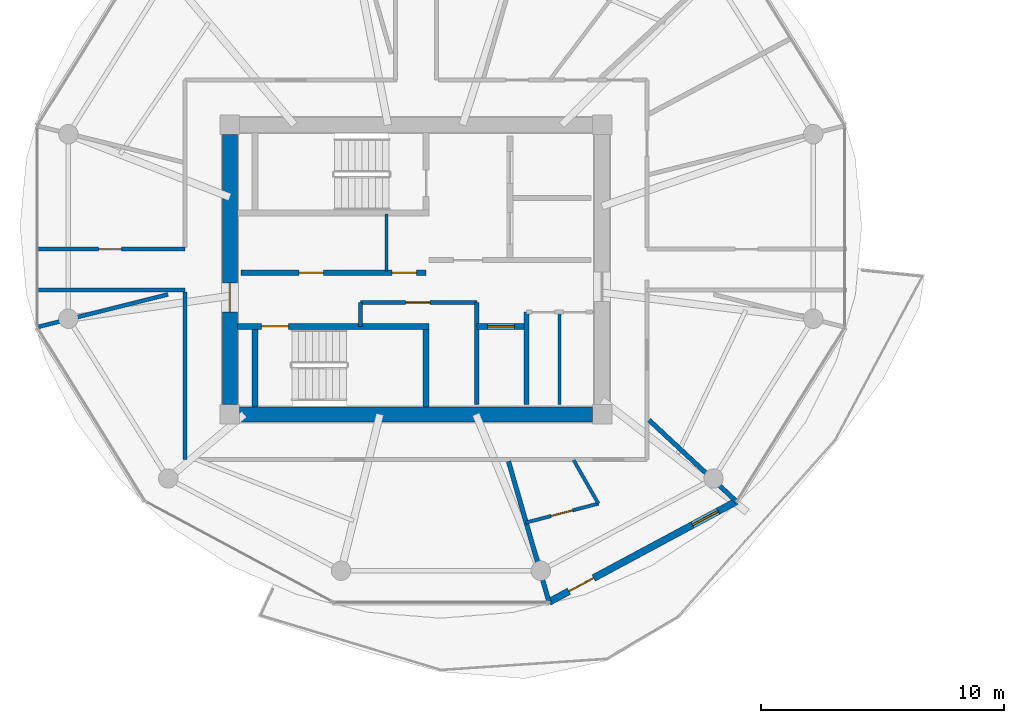
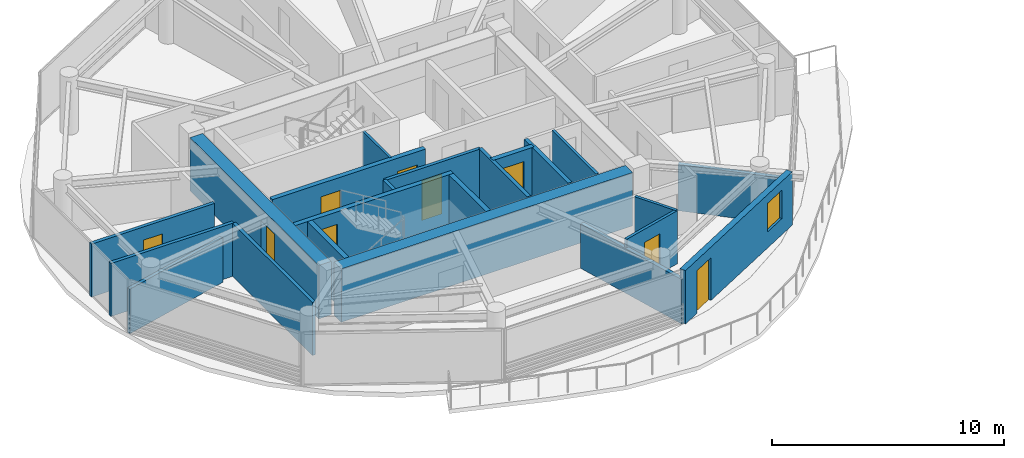
# One storey, part 12 of 22: 22 walls, 9 doors, 1 window, 10 openings.
"""IFC4 building model written with IfcOpenShell, lengths in metres."""

import ifcopenshell
import ifcopenshell.guid

model = None  # the IFC model being written
_history = None  # IfcOwnerHistory: only IFC2X3 demands one
_inside = {}  # id of a spatial element -> (the spatial element, [elements in it])
_under = {}  # id of a project, library or spatial element -> (it, [spatial elements below it])
_declared = {}  # id of a project -> (the project, [libraries it declares])
_typed = {}  # id of a type object -> (the type object, [elements of that type])
_made_of = {}  # id of a material, layer set ... -> (it, [elements and type objects made of it])


def new_model(schema):
    """Start an empty IFC model of exactly this schema.

    Asked for "IFC4X3", IfcOpenShell would pick the latest addendum, in which some entities
    have other attributes; the version numbers below select the first issue.
    IFC2X3 requires an IfcOwnerHistory on every rooted entity: one is made here for all.
    """
    global model, _history
    if schema == "IFC4X3":
        model = ifcopenshell.file(schema_version=(4, 3, 0, 0))
    else:
        model = ifcopenshell.file(schema=schema)
    _inside.clear()
    _under.clear()
    _declared.clear()
    _typed.clear()
    _made_of.clear()
    _history = None
    if model.schema == "IFC2X3":
        org = make("IfcOrganization", Name="unknown")
        user = make(
            "IfcPersonAndOrganization",
            ThePerson=make("IfcPerson", FamilyName="unknown"),
            TheOrganization=org,
        )
        app = make(
            "IfcApplication",
            ApplicationDeveloper=org,
            Version="unknown",
            ApplicationFullName="unknown",
            ApplicationIdentifier="unknown",
        )
        _history = make(
            "IfcOwnerHistory",
            OwningUser=user,
            OwningApplication=app,
            ChangeAction="ADDED",
            CreationDate=0,
        )
    return model


def make(cls, **values):
    """One entity of the class cls with the attributes given. An attribute that is None is left unset."""
    return model.create_entity(
        cls, **{name: value for name, value in values.items() if value is not None}
    )


def rooted(cls, **values):
    """An entity with a GlobalId (a new one), such as an element, a storey or a relation."""
    return make(cls, GlobalId=ifcopenshell.guid.new(), OwnerHistory=_history, **values)


def si_unit(unit_type, name, prefix=None):
    """IfcSIUnit, for example si_unit("LENGTHUNIT", "METRE", prefix="MILLI")."""
    return make("IfcSIUnit", UnitType=unit_type, Prefix=prefix, Name=name)


def assignment(units):
    """IfcUnitAssignment: the units of a project."""
    return None if units is None else make("IfcUnitAssignment", Units=units)


def point(xyz):
    """IfcCartesianPoint."""
    return None if xyz is None else make("IfcCartesianPoint", Coordinates=xyz)


def direction(xyz):
    """IfcDirection."""
    return None if xyz is None else make("IfcDirection", DirectionRatios=xyz)


def frame(location, z_axis=None, x_axis=None):
    """IfcAxis2Placement3D, a coordinate frame: its origin and axes. An axis left out is left unset."""
    return make(
        "IfcAxis2Placement3D",
        Location=point(location),
        Axis=direction(z_axis),
        RefDirection=direction(x_axis),
    )


def frame_2d(location, x_axis=None):
    """IfcAxis2Placement2D, a coordinate frame in the plane: its origin and x axis."""
    return make(
        "IfcAxis2Placement2D", Location=point(location), RefDirection=direction(x_axis)
    )


def origin():
    """The frame at (0, 0, 0) with its axes left unset."""
    return frame((0.0, 0.0, 0.0))


def place(relative_to, where):
    """IfcLocalPlacement: puts the frame where relative to a parent placement (None: the world)."""
    return make(
        "IfcLocalPlacement", PlacementRelTo=relative_to, RelativePlacement=where
    )


def context(
    kind, dimensions, precision=None, world=None, true_north=None, identifier=None
):
    """IfcGeometricRepresentationContext, for example the 3D "Model" context."""
    return make(
        "IfcGeometricRepresentationContext",
        ContextIdentifier=identifier,
        ContextType=kind,
        CoordinateSpaceDimension=dimensions,
        Precision=precision,
        WorldCoordinateSystem=world,
        TrueNorth=true_north,
    )


def subcontext(parent, identifier, kind, view, scale=None):
    """IfcGeometricRepresentationSubContext, for example "Body" below "Model"."""
    return make(
        "IfcGeometricRepresentationSubContext",
        ContextIdentifier=identifier,
        ContextType=kind,
        ParentContext=parent,
        TargetScale=scale,
        TargetView=view,
    )


def project(units=None, contexts=None):
    """IfcProject with its units and contexts."""
    return rooted(
        "IfcProject",
        Name="project",
        RepresentationContexts=contexts,
        UnitsInContext=assignment(units),
    )


def spatial(cls, under=None, at=None, **own):
    """A site, building, storey or space (cls), placed at a placement, below another one or the project."""
    s = rooted(cls, ObjectPlacement=at, **own)
    if under is not None:
        _under.setdefault(under.id(), (under, []))[1].append(s)
    return s


def profile(cls, at=None, kind="AREA", **sizes):
    """A parametric profile (cls). Its sizes go by their IFC names, for example OverallWidth=200.0."""
    return make(cls, ProfileType=kind, Position=at, **sizes)


def rectangle(**sizes):
    """IfcRectangleProfileDef."""
    return profile("IfcRectangleProfileDef", **sizes)


def extrude(swept, where, along, depth):
    """IfcExtrudedAreaSolid: the profile swept, set in the frame where, extruded along a direction by depth."""
    return make(
        "IfcExtrudedAreaSolid",
        SweptArea=swept,
        Position=where,
        ExtrudedDirection=direction(along),
        Depth=depth,
    )


def shape(context_of_items, identifier, shape_type, items):
    """IfcShapeRepresentation: the items that make up one representation, for example the "Body"."""
    return make(
        "IfcShapeRepresentation",
        ContextOfItems=context_of_items,
        RepresentationIdentifier=identifier,
        RepresentationType=shape_type,
        Items=items,
    )


def source(mapping_origin, context_of_items, identifier, shape_type, items):
    """IfcRepresentationMap: a shape defined once, which mapped items show again and again."""
    return make(
        "IfcRepresentationMap",
        MappingOrigin=mapping_origin,
        MappedRepresentation=shape(context_of_items, identifier, shape_type, items),
    )


def transform(
    local_origin,
    x_axis=None,
    y_axis=None,
    z_axis=None,
    scale=None,
    scale2=None,
    scale3=None,
    uniform=True,
):
    """IfcCartesianTransformationOperator3D, or its non-uniform kind. x_axis, y_axis, z_axis: its Axis1, 2, 3."""
    if uniform:
        return make(
            "IfcCartesianTransformationOperator3D",
            Axis1=direction(x_axis),
            Axis2=direction(y_axis),
            LocalOrigin=point(local_origin),
            Scale=scale,
            Axis3=direction(z_axis),
        )
    return make(
        "IfcCartesianTransformationOperator3DnonUniform",
        Axis1=direction(x_axis),
        Axis2=direction(y_axis),
        LocalOrigin=point(local_origin),
        Scale=scale,
        Axis3=direction(z_axis),
        Scale2=scale2,
        Scale3=scale3,
    )


def mapped(mapping_source, mapping_target):
    """IfcMappedItem: shows the shape of a source again, moved by a transform."""
    return make(
        "IfcMappedItem", MappingSource=mapping_source, MappingTarget=mapping_target
    )


def material(Name=None, Category=None):
    """IfcMaterial."""
    return make("IfcMaterial", Name=Name, Category=Category)


def layer(
    of_material, thickness, ventilated=None, Name=None, Category=None, Priority=None
):
    """IfcMaterialLayer: one layer of a wall or slab, of a material (None: an air gap)."""
    return make(
        "IfcMaterialLayer",
        Material=of_material,
        LayerThickness=thickness,
        IsVentilated=ventilated,
        Name=Name,
        Category=Category,
        Priority=Priority,
    )


def layer_set(layers, Name=None):
    """IfcMaterialLayerSet."""
    return make("IfcMaterialLayerSet", MaterialLayers=layers, LayerSetName=Name)


def made_of(thing, what):
    """Note that an element or type object is made of a material, layer set ...; save() writes the relation."""
    if what is not None:
        _made_of.setdefault(what.id(), (what, []))[1].append(thing)
    return thing


def type_object(cls, material=None, **own):
    """A type object (cls), such as IfcWallType, which elements share."""
    return made_of(rooted(cls, **own), material)


def type_shapes(of_type, sources):
    """Give a type object the sources (RepresentationMaps) that its elements show as mapped items."""
    of_type.RepresentationMaps = sources


def element(
    cls,
    number,
    at=None,
    inside=None,
    cuts=None,
    type_object=None,
    material=None,
    context=None,
    identifier="Body",
    shape_type=None,
    held_by="IfcProductDefinitionShape",
    body=None,
    shapes=None,
    **own,
):
    """One element of the class cls, such as IfcWall. Its Tag is "e" and its number.

    at: its placement. inside: the storey or other place that contains it. cuts: it is an
    opening in that element (IfcRelVoidsElement). A single representation is given by context,
    identifier, shape_type and body (its items); several are given by shapes. held_by: the class
    of the entity that holds the representations. save() writes the other relations.
    """
    e = rooted(cls, Tag="e%d" % number, ObjectPlacement=at, **own)
    if body is not None:
        shapes = [shape(context, identifier, shape_type, body)]
    if shapes is not None:
        e.Representation = make(held_by, Representations=shapes)
    if inside is not None:
        _inside.setdefault(inside.id(), (inside, []))[1].append(e)
    if cuts is not None:
        rooted(
            "IfcRelVoidsElement", RelatingBuildingElement=cuts, RelatedOpeningElement=e
        )
    if type_object is not None:
        _typed.setdefault(type_object.id(), (type_object, []))[1].append(e)
    return made_of(e, material)


def fill(opening, filler):
    """IfcRelFillsElement: the door or window that sits in an opening."""
    return rooted(
        "IfcRelFillsElement",
        RelatingOpeningElement=opening,
        RelatedBuildingElement=filler,
    )


def aggregate(whole, parts):
    """IfcRelAggregates: a whole, such as a stair, and the parts it consists of."""
    return rooted("IfcRelAggregates", RelatingObject=whole, RelatedObjects=parts)


def save(model, path):
    """Write the relations noted so far, then the file.

    IfcRelAggregates (storeys below a building ...), IfcRelContainedInSpatialStructure (elements
    in a storey), IfcRelDefinesByType, IfcRelAssociatesMaterial and IfcRelDeclares: one each for
    every whole, place, type object, material and project.
    """
    for whole, parts in _under.values():
        aggregate(whole, parts)
    for where, things in _inside.values():
        rooted(
            "IfcRelContainedInSpatialStructure",
            RelatedElements=things,
            RelatingStructure=where,
        )
    for kind, things in _typed.values():
        rooted("IfcRelDefinesByType", RelatedObjects=things, RelatingType=kind)
    for what, things in _made_of.values():
        rooted("IfcRelAssociatesMaterial", RelatedObjects=things, RelatingMaterial=what)
    for by, libraries in _declared.values():
        rooted("IfcRelDeclares", RelatingContext=by, RelatedDefinitions=libraries)
    model.write(path)


model = new_model("IFC4")

# Units and contexts
model_context = context("Model", 3, precision=1e-05, world=origin(), true_north=direction((0.0, 1.0)))
body_context = subcontext(model_context, "Body", "Model", "MODEL_VIEW")
ifc_project = project(units=[si_unit("LENGTHUNIT", "METRE"), si_unit("AREAUNIT", "SQUARE_METRE"), si_unit("VOLUMEUNIT", "CUBIC_METRE"), si_unit("PLANEANGLEUNIT", "RADIAN"), si_unit("MASSUNIT", "GRAM", prefix="KILO")], contexts=[model_context])

# Site, building, storey
site_placement = place(None, origin())
site = spatial("IfcSite", under=ifc_project, at=site_placement, CompositionType="ELEMENT")
building_placement = place(site_placement, origin())
building = spatial("IfcBuilding", under=site, at=building_placement, Name="Norrkilde Senior Care Towers", CompositionType="ELEMENT")
storey_placement = place(building_placement, frame((0.0, 0.0, 180.050048828125)))
storey = spatial("IfcBuildingStorey", under=building, at=storey_placement, Name="L56", CompositionType="ELEMENT", Elevation=180.050048828125)

# Wall
ifc_material_1 = material(Name="Concrete C50/60", Category="concrete")
ifc_layer_1 = layer(ifc_material_1, 0.6201171875)
ifc_layer_set_1 = layer_set([ifc_layer_1], Name="Concrete C50/60")
wall_type_1 = type_object("IfcWallType", Name="Core Shear Wall Z3 620", PredefinedType="SHEAR", material=ifc_layer_set_1)
shared_shape_1 = source(origin(), body_context, "Body", "SweptSolid", [
    extrude(rectangle(XDim=14.5, YDim=0.6201171875, at=frame_2d((7.25, 0.0))), origin(), (0.0, 0.0, 1.0), 2.81005859375),
])
wall_1_placement = place(storey_placement, frame((-20.75, -5.949951171875, 0.0), z_axis=(0.0, 0.0, 1.0), x_axis=(-1.0, 0.0, 0.0)))
element("IfcWall", 1, at=wall_1_placement, inside=storey, type_object=wall_type_1, Name="L56 Core W South Shear Wall", PredefinedType="SHEAR", context=body_context, shape_type="MappedRepresentation", body=[
    mapped(shared_shape_1, transform((0.0, 0.0, 0.0), x_axis=(1.0, 0.0, 0.0), y_axis=(0.0, 1.0, 0.0), z_axis=(0.0, 0.0, 1.0), scale=1.0)),
])

# Wall, opening, door
shared_shape_2 = source(origin(), body_context, "Body", "SweptSolid", [
    extrude(rectangle(XDim=11.10009765625, YDim=0.6201171875, at=frame_2d((5.550048828125, 0.0))), origin(), (0.0, 0.0, 1.0), 2.81005859375),
])
type_shapes(wall_type_1, [shared_shape_1, shared_shape_2])
wall_2_placement = place(storey_placement, frame((-35.64990234375, -5.550048828125, 0.0), z_axis=(0.0, 0.0, 1.0), x_axis=(0.0, 1.0, 0.0)))
wall_2 = element("IfcWall", 2, at=wall_2_placement, inside=storey, type_object=wall_type_1, Name="L56 Core W West Shear Wall", PredefinedType="SHEAR", context=body_context, shape_type="MappedRepresentation", body=[
    mapped(shared_shape_2, transform((0.0, 0.0, 0.0), x_axis=(1.0, 0.0, 0.0), y_axis=(0.0, 1.0, 0.0), z_axis=(0.0, 0.0, 1.0), scale=1.0)),
])
opening_1_placement = place(wall_2_placement, frame((3.800048828125, 0.0, 0.0)))
opening_1 = element("IfcOpeningElement", 3, at=opening_1_placement, cuts=wall_2, Name="Opening D-04", PredefinedType="OPENING", context=body_context, shape_type="SweptSolid", body=[
    extrude(rectangle(XDim=1.199951171875, YDim=2.14990234375, at=frame_2d((0.60009765625, 1.074951171875))), frame((0.0, 0.320068359375, 0.0), z_axis=(0.0, -1.0, 0.0), x_axis=(1.0, 0.0, 0.0)), (0.0, 0.0, 1.0), 0.64013671875),
])
ifc_material_2 = material(Name="Galvanised Painted Steel", Category="steel")
door_type_1 = type_object("IfcDoorType", Name="Firefighting Lobby Fire Door 1200x2150", OperationType="NOTDEFINED", PredefinedType="DOOR", material=ifc_material_2)
shared_shape_3 = source(origin(), body_context, "Body", "SweptSolid", [
    extrude(rectangle(XDim=1.199951171875, YDim=2.14990234375, at=frame_2d((0.60009765625, 1.074951171875))), frame((0.0, 0.02490234375, 0.0), z_axis=(0.0, -1.0, 0.0), x_axis=(1.0, 0.0, 0.0)), (0.0, 0.0, 1.0), 0.050048828125),
])
type_shapes(door_type_1, [shared_shape_3])
door_1_placement = place(opening_1_placement, frame((1.199951171875, 0.0, 0.0), z_axis=(0.0, 0.0, 1.0), x_axis=(-1.0, 0.0, 0.0)))
door_1 = element("IfcDoor", 4, at=door_1_placement, inside=storey, type_object=door_type_1, Name="L56 Core W West Portal Door", OperationType="SINGLE_SWING_LEFT", OverallHeight=2.14990234375, OverallWidth=1.199951171875, PredefinedType="DOOR", context=body_context, shape_type="MappedRepresentation", body=[
    mapped(shared_shape_3, transform((0.0, 0.0, 0.0), x_axis=(1.0, 0.0, 0.0), y_axis=(0.0, 1.0, 0.0), z_axis=(0.0, 0.0, 1.0), scale=1.0)),
])
fill(opening_1, door_1)

# Wall, openings, door, window
ifc_material_3 = material(Name="Precast concrete C45/55", Category="concrete")
ifc_layer_2 = layer(ifc_material_3, 0.2900390625)
ifc_layer_set_2 = layer_set([ifc_layer_2], Name="Precast concrete C45/55")
wall_type_2 = type_object("IfcWallType", Name="Winter Garden Facade Wall 290", PredefinedType="SOLIDWALL", material=ifc_layer_set_2)
shared_shape_4 = source(origin(), body_context, "Body", "SweptSolid", [
    extrude(rectangle(XDim=8.741943359375, YDim=0.2900390625, at=frame_2d((4.37109375, 0.0))), origin(), (0.0, 0.0, 1.0), 2.81005859375),
])
type_shapes(wall_type_2, [shared_shape_4])
wall_3_placement = place(storey_placement, frame((-14.826904296875, -9.524169921875, 0.0), z_axis=(0.0, 0.0, 1.0), x_axis=(-0.880998740657, -0.473118609823, 0.0)))
wall_3 = element("IfcWall", 5, at=wall_3_placement, inside=storey, type_object=wall_type_2, Name="L56 Drum W Balcony Access Wall 09", PredefinedType="SOLIDWALL", context=body_context, shape_type="MappedRepresentation", body=[
    mapped(shared_shape_4, transform((0.0, 0.0, 0.0), x_axis=(1.0, 0.0, 0.0), y_axis=(0.0, 1.0, 0.0), z_axis=(0.0, 0.0, 1.0), scale=1.0)),
])
opening_2_placement = place(wall_3_placement, frame((6.659912109375, 0.0, 0.0)))
opening_2 = element("IfcOpeningElement", 6, at=opening_2_placement, cuts=wall_3, Name="Opening D-09", PredefinedType="OPENING", context=body_context, shape_type="SweptSolid", body=[
    extrude(rectangle(XDim=1.14990234375, YDim=2.25, at=frame_2d((0.574951171875, 1.125))), frame((0.0, 0.155029296875, 0.0), z_axis=(0.0, -1.0, 0.0), x_axis=(1.0, 0.0, 0.0)), (0.0, 0.0, 1.0), 0.31005859375),
])
opening_3_placement = place(wall_3_placement, frame((0.85009765625, 0.0, 0.85009765625)))
opening_3 = element("IfcOpeningElement", 7, at=opening_3_placement, cuts=wall_3, Name="Opening WN-07", PredefinedType="OPENING", context=body_context, shape_type="SweptSolid", body=[
    extrude(rectangle(XDim=1.199951171875, YDim=1.5, at=frame_2d((0.60009765625, 0.75))), frame((0.0, 0.155029296875, 0.0), z_axis=(0.0, -1.0, 0.0), x_axis=(1.0, 0.0, 0.0)), (0.0, 0.0, 1.0), 0.31005859375),
])
ifc_material_4 = material(Name="Anodised Aluminium", Category="aluminium")
door_type_2 = type_object("IfcDoorType", Name="Terrace and Balcony Glazed Door 1150x2250", OperationType="NOTDEFINED", PredefinedType="DOOR", material=ifc_material_4)
shared_shape_5 = source(origin(), body_context, "Body", "SweptSolid", [
    extrude(rectangle(XDim=1.14990234375, YDim=2.25, at=frame_2d((0.574951171875, 1.125))), frame((0.0, 0.02490234375, 0.0), z_axis=(0.0, -1.0, 0.0), x_axis=(1.0, 0.0, 0.0)), (0.0, 0.0, 1.0), 0.050048828125),
])
type_shapes(door_type_2, [shared_shape_5])
door_2_placement = place(opening_2_placement, origin())
door_2 = element("IfcDoor", 8, at=door_2_placement, inside=storey, type_object=door_type_2, Name="L56 Drum W Outdoor Terrace Door 09", OperationType="SINGLE_SWING_RIGHT", OverallHeight=2.25, OverallWidth=1.14990234375, PredefinedType="DOOR", context=body_context, shape_type="MappedRepresentation", body=[
    mapped(shared_shape_5, transform((0.0, 0.0, 0.0), x_axis=(1.0, 0.0, 0.0), y_axis=(0.0, 1.0, 0.0), z_axis=(0.0, 0.0, 1.0), scale=1.0)),
])
fill(opening_2, door_2)
ifc_material_5 = material(Name="Triple Low-E Insulated Glazing", Category="glass")
window_type = type_object("IfcWindowType", Name="Stairwell Smoke Vent Window 1200x1500", PartitioningType="SINGLE_PANEL", PredefinedType="WINDOW", material=ifc_material_5)
shared_shape_6 = source(origin(), body_context, "Body", "SweptSolid", [
    extrude(rectangle(XDim=1.199951171875, YDim=1.5, at=frame_2d((0.60009765625, 0.75))), frame((0.0, 0.030029296875, 0.0), z_axis=(0.0, -1.0, 0.0), x_axis=(1.0, 0.0, 0.0)), (0.0, 0.0, 1.0), 0.06005859375),
])
type_shapes(window_type, [shared_shape_6])
window_placement = place(opening_3_placement, origin())
window = element("IfcWindow", 9, at=window_placement, inside=storey, type_object=window_type, Name="L56 Drum W Winter Garden Window 09", OverallHeight=1.5, OverallWidth=1.199951171875, PartitioningType="SINGLE_PANEL", PredefinedType="WINDOW", context=body_context, shape_type="MappedRepresentation", body=[
    mapped(shared_shape_6, transform((0.0, 0.0, 0.0), x_axis=(1.0, 0.0, 0.0), y_axis=(0.0, 1.0, 0.0), z_axis=(0.0, 0.0, 1.0), scale=1.0)),
])
fill(opening_3, window)

# Wall, opening, door
ifc_material_6 = material(Name="Concrete C45/55", Category="concrete")
ifc_layer_3 = layer(ifc_material_6, 0.239990234375)
ifc_layer_set_3 = layer_set([ifc_layer_3], Name="Concrete C45/55")
wall_type_3 = type_object("IfcWallType", Name="Shaft and Stair Enclosure Wall 240", PredefinedType="PARTITIONING", material=ifc_layer_set_3)
shared_shape_7 = source(origin(), body_context, "Body", "SweptSolid", [
    extrude(rectangle(XDim=7.880126953125, YDim=0.239990234375, at=frame_2d((3.93994140625, 0.0))), origin(), (0.0, 0.0, 1.0), 2.81005859375),
])
wall_4_placement = place(storey_placement, frame((-35.340087890625, -2.330078125, 0.0), z_axis=(0.0, 0.0, 1.0), x_axis=(1.0, 0.0, 0.0)))
wall_4 = element("IfcWall", 10, at=wall_4_placement, inside=storey, type_object=wall_type_3, Name="WL-INT-L56-W-ST2N", PredefinedType="PARTITIONING", context=body_context, shape_type="MappedRepresentation", body=[
    mapped(shared_shape_7, transform((0.0, 0.0, 0.0), x_axis=(1.0, 0.0, 0.0), y_axis=(0.0, 1.0, 0.0), z_axis=(0.0, 0.0, 1.0), scale=1.0)),
])
opening_4_placement = place(wall_4_placement, frame((1.0, 0.0, 0.0)))
opening_4 = element("IfcOpeningElement", 11, at=opening_4_placement, cuts=wall_4, Name="Opening D-03", PredefinedType="OPENING", context=body_context, shape_type="SweptSolid", body=[
    extrude(rectangle(XDim=1.10009765625, YDim=2.14990234375, at=frame_2d((0.550048828125, 1.074951171875))), frame((0.0, 0.1298828125, 0.0), z_axis=(0.0, -1.0, 0.0), x_axis=(1.0, 0.0, 0.0)), (0.0, 0.0, 1.0), 0.260009765625),
])
door_type_3 = type_object("IfcDoorType", Name="Stairwell Protected Fire Door 1100x2150", OperationType="NOTDEFINED", PredefinedType="DOOR", material=ifc_material_2)
shared_shape_8 = source(origin(), body_context, "Body", "SweptSolid", [
    extrude(rectangle(XDim=1.10009765625, YDim=2.14990234375, at=frame_2d((0.550048828125, 1.074951171875))), frame((0.0, 0.02490234375, 0.0), z_axis=(0.0, -1.0, 0.0), x_axis=(1.0, 0.0, 0.0)), (0.0, 0.0, 1.0), 0.050048828125),
])
type_shapes(door_type_3, [shared_shape_8])
door_3_placement = place(opening_4_placement, frame((1.10009765625, 0.0, 0.0), z_axis=(0.0, 0.0, 1.0), x_axis=(-1.0, 0.0, 0.0)))
door_3 = element("IfcDoor", 12, at=door_3_placement, inside=storey, type_object=door_type_3, Name="L56 Stair W2 Fire Door", OperationType="SINGLE_SWING_RIGHT", OverallHeight=2.14990234375, OverallWidth=1.10009765625, PredefinedType="DOOR", context=body_context, shape_type="MappedRepresentation", body=[
    mapped(shared_shape_8, transform((0.0, 0.0, 0.0), x_axis=(1.0, 0.0, 0.0), y_axis=(0.0, 1.0, 0.0), z_axis=(0.0, 0.0, 1.0), scale=1.0)),
])
fill(opening_4, door_3)

# Walls
shared_shape_9 = source(origin(), body_context, "Body", "SweptSolid", [
    extrude(rectangle(XDim=3.18994140625, YDim=0.239990234375, at=frame_2d((1.594970703125, 0.0))), origin(), (0.0, 0.0, 1.0), 2.81005859375),
])
type_shapes(wall_type_3, [shared_shape_7, shared_shape_9])
for number, where, z_axis, x_axis, name in (
    (13, (-34.6201171875, -5.639892578125, 0.0), (0.0, 0.0, 1.0), (0.0, 1.0, 0.0), "WL-INT-L56-W-ST2W"),
    (14, (-27.580078125, -5.639892578125, 0.0), (0.0, 0.0, 1.0), (0.0, 1.0, 0.0), "WL-INT-L56-W-ST2E"),
):
    element("IfcWall", number, at=place(storey_placement, frame(where, z_axis=z_axis, x_axis=x_axis)), inside=storey, type_object=wall_type_3, Name=name, PredefinedType="PARTITIONING", context=body_context, shape_type="MappedRepresentation", body=[
        mapped(shared_shape_9, transform((0.0, 0.0, 0.0), x_axis=(1.0, 0.0, 0.0), y_axis=(0.0, 1.0, 0.0), z_axis=(0.0, 0.0, 1.0), scale=1.0)),
    ])

# Wall, openings, doors
ifc_layer_4 = layer(ifc_material_6, 0.239990234375)
ifc_layer_set_4 = layer_set([ifc_layer_4], Name="Concrete C45/55")
wall_type_4 = type_object("IfcWallType", Name="Lift and Plant Rated Enclosure Partition 240", PredefinedType="PARTITIONING", material=ifc_layer_set_4)
shared_shape_10 = source(origin(), body_context, "Body", "SweptSolid", [
    extrude(rectangle(XDim=7.619873046875, YDim=0.239990234375, at=frame_2d((3.81005859375, 0.0))), origin(), (0.0, 0.0, 1.0), 2.794921875),
])
wall_5_placement = place(storey_placement, frame((-35.199951171875, -0.1298828125, 0.0), z_axis=(0.0, 0.0, 1.0), x_axis=(1.0, 0.0, 0.0)))
wall_5 = element("IfcWall", 15, at=wall_5_placement, inside=storey, type_object=wall_type_4, Name="WL-INT-L56-W-PKAS", PredefinedType="PARTITIONING", context=body_context, shape_type="MappedRepresentation", body=[
    mapped(shared_shape_10, transform((0.0, 0.0, 0.0), x_axis=(1.0, 0.0, 0.0), y_axis=(0.0, 1.0, 0.0), z_axis=(0.0, 0.0, 1.0), scale=1.0)),
])
opening_5_placement = place(wall_5_placement, frame((6.219970703125, 0.0, 0.0)))
opening_5 = element("IfcOpeningElement", 16, at=opening_5_placement, cuts=wall_5, Name="Opening D-10", PredefinedType="OPENING", context=body_context, shape_type="SweptSolid", body=[
    extrude(rectangle(XDim=1.0, YDim=2.10009765625, at=frame_2d((0.5, 1.050048828125))), frame((0.0, 0.1298828125, 0.0), z_axis=(0.0, -1.0, 0.0), x_axis=(1.0, 0.0, 0.0)), (0.0, 0.0, 1.0), 0.260009765625),
])
opening_6_placement = place(wall_5_placement, frame((2.39990234375, 0.0, 0.0)))
opening_6 = element("IfcOpeningElement", 17, at=opening_6_placement, cuts=wall_5, Name="Opening D-10", PredefinedType="OPENING", context=body_context, shape_type="SweptSolid", body=[
    extrude(rectangle(XDim=1.0, YDim=2.10009765625, at=frame_2d((0.5, 1.050048828125))), frame((0.0, 0.1298828125, 0.0), z_axis=(0.0, -1.0, 0.0), x_axis=(1.0, 0.0, 0.0)), (0.0, 0.0, 1.0), 0.260009765625),
])
door_type_4 = type_object("IfcDoorType", Name="Plant and Riser Rated Door 1000x2100", OperationType="NOTDEFINED", PredefinedType="DOOR", material=ifc_material_2)
shared_shape_11 = source(origin(), body_context, "Body", "SweptSolid", [
    extrude(rectangle(XDim=1.0, YDim=2.10009765625, at=frame_2d((0.5, 1.050048828125))), frame((0.0, 0.02490234375, 0.0), z_axis=(0.0, -1.0, 0.0), x_axis=(1.0, 0.0, 0.0)), (0.0, 0.0, 1.0), 0.050048828125),
])
type_shapes(door_type_4, [shared_shape_11])
door_4_placement = place(opening_5_placement, frame((1.0, 0.0, 0.0), z_axis=(0.0, 0.0, 1.0), x_axis=(-1.0, 0.0, 0.0)))
door_4 = element("IfcDoor", 18, at=door_4_placement, inside=storey, type_object=door_type_4, Name="L56 Electrical Riser W Door", OperationType="SINGLE_SWING_LEFT", OverallHeight=2.10009765625, OverallWidth=1.0, PredefinedType="DOOR", context=body_context, shape_type="MappedRepresentation", body=[
    mapped(shared_shape_11, transform((0.0, 0.0, 0.0), x_axis=(1.0, 0.0, 0.0), y_axis=(0.0, 1.0, 0.0), z_axis=(0.0, 0.0, 1.0), scale=1.0)),
])
fill(opening_5, door_4)
door_5_placement = place(opening_6_placement, frame((1.0, 0.0, 0.0), z_axis=(0.0, 0.0, 1.0), x_axis=(-1.0, 0.0, 0.0)))
door_5 = element("IfcDoor", 19, at=door_5_placement, inside=storey, type_object=door_type_4, Name="L56 Clean Supply Store W Door", OperationType="SINGLE_SWING_LEFT", OverallHeight=2.10009765625, OverallWidth=1.0, PredefinedType="DOOR", context=body_context, shape_type="MappedRepresentation", body=[
    mapped(shared_shape_11, transform((0.0, 0.0, 0.0), x_axis=(1.0, 0.0, 0.0), y_axis=(0.0, 1.0, 0.0), z_axis=(0.0, 0.0, 1.0), scale=1.0)),
])
fill(opening_6, door_5)

# Walls
ifc_material_7 = material(Name="Gypsum Acoustic Board")
ifc_layer_5 = layer(ifc_material_7, 0.114990234375)
ifc_layer_set_5 = layer_set([ifc_layer_5], Name="Gypsum Acoustic Board")
wall_type_5 = type_object("IfcWallType", Name="Internal Room Partition 115", PredefinedType="PARTITIONING", material=ifc_layer_set_5)
shared_shape_12 = source(origin(), body_context, "Body", "SweptSolid", [
    extrude(rectangle(XDim=2.330078125, YDim=0.114990234375, at=frame_2d((1.1650390625, 0.0))), origin(), (0.0, 0.0, 1.0), 2.794921875),
])
type_shapes(wall_type_5, [shared_shape_12])
wall_6_placement = place(storey_placement, frame((-29.2099609375, -0.050048828125, 0.0), z_axis=(0.0, 0.0, 1.0), x_axis=(0.0, 1.0, 0.0)))
element("IfcWall", 20, at=wall_6_placement, inside=storey, type_object=wall_type_5, Name="WL-INT-L56-W-RISW", PredefinedType="PARTITIONING", context=body_context, shape_type="MappedRepresentation", body=[
    mapped(shared_shape_12, transform((0.0, 0.0, 0.0), x_axis=(1.0, 0.0, 0.0), y_axis=(0.0, 1.0, 0.0), z_axis=(0.0, 0.0, 1.0), scale=1.0)),
])
ifc_layer_6 = layer(ifc_material_6, 0.199951171875)
ifc_layer_set_6 = layer_set([ifc_layer_6], Name="Concrete C45/55")
wall_type_6 = type_object("IfcWallType", Name="Shaft Division and Plant Partition 200", PredefinedType="PARTITIONING", material=ifc_layer_set_6)
shared_shape_13 = source(origin(), body_context, "Body", "SweptSolid", [
    extrude(rectangle(XDim=3.800048828125, YDim=0.199951171875, at=frame_2d((1.89990234375, 0.0))), origin(), (0.0, 0.0, 1.0), 2.794921875),
])
type_shapes(wall_type_6, [shared_shape_13])
wall_7_placement = place(storey_placement, frame((-23.449951171875, -5.550048828125, 0.0), z_axis=(0.0, 0.0, 1.0), x_axis=(0.0, 1.0, 0.0)))
element("IfcWall", 21, at=wall_7_placement, inside=storey, type_object=wall_type_6, Name="WL-INT-L56-W-PKBE", PredefinedType="PARTITIONING", context=body_context, shape_type="MappedRepresentation", body=[
    mapped(shared_shape_13, transform((0.0, 0.0, 0.0), x_axis=(1.0, 0.0, 0.0), y_axis=(0.0, 1.0, 0.0), z_axis=(0.0, 0.0, 1.0), scale=1.0)),
])
ifc_layer_7 = layer(ifc_material_7, 0.139892578125)
ifc_layer_set_7 = layer_set([ifc_layer_7], Name="Gypsum Acoustic Board")
wall_type_7 = type_object("IfcWallType", Name="En-suite Wet Room Wall 140", PredefinedType="PARTITIONING", material=ifc_layer_set_7)
shared_shape_14 = source(origin(), body_context, "Body", "SweptSolid", [
    extrude(rectangle(XDim=3.800048828125, YDim=0.139892578125, at=frame_2d((1.89990234375, 0.0))), origin(), (0.0, 0.0, 1.0), 2.794921875),
])
wall_8_placement = place(storey_placement, frame((-22.10009765625, -5.550048828125, 0.0), z_axis=(0.0, 0.0, 1.0), x_axis=(0.0, 1.0, 0.0)))
element("IfcWall", 22, at=wall_8_placement, inside=storey, type_object=wall_type_7, Name="WL-INT-L56-W-CS1V", PredefinedType="PARTITIONING", context=body_context, shape_type="MappedRepresentation", body=[
    mapped(shared_shape_14, transform((0.0, 0.0, 0.0), x_axis=(1.0, 0.0, 0.0), y_axis=(0.0, 1.0, 0.0), z_axis=(0.0, 0.0, 1.0), scale=1.0)),
])
ifc_layer_8 = layer(ifc_material_7, 0.1650390625)
ifc_layer_set_8 = layer_set([ifc_layer_8], Name="Gypsum Acoustic Board")
wall_type_8 = type_object("IfcWallType", Name="Corridor Rated Partition 165", PredefinedType="PARTITIONING", material=ifc_layer_set_8)
shared_shape_15 = source(origin(), body_context, "Body", "SweptSolid", [
    extrude(rectangle(XDim=5.564208984375, YDim=0.1650390625, at=frame_2d((2.7822265625, 0.0))), origin(), (0.0, 0.0, 1.0), 2.344970703125),
])
wall_9_placement = place(storey_placement, frame((-38.18994140625, -1.02001953125, 0.0), z_axis=(0.0, 0.0, 1.0), x_axis=(-0.97031260977, -0.241854169533, 0.0)))
element("IfcWall", 23, at=wall_9_placement, inside=storey, type_object=wall_type_8, Name="WL-INT-L56-W-DEM-06-0", PredefinedType="PARTITIONING", context=body_context, shape_type="MappedRepresentation", body=[
    mapped(shared_shape_15, transform((0.0, 0.0, 0.0), x_axis=(1.0, 0.0, 0.0), y_axis=(0.0, 1.0, 0.0), z_axis=(0.0, 0.0, 1.0), scale=1.0)),
])
ifc_layer_9 = layer(ifc_material_7, 0.18994140625)
ifc_layer_set_9 = layer_set([ifc_layer_9], Name="Gypsum Acoustic Board")
wall_type_9 = type_object("IfcWallType", Name="Unit Demising Acoustic Wall 190", PredefinedType="PARTITIONING", material=ifc_layer_set_9)
shared_shape_16 = source(origin(), body_context, "Body", "SweptSolid", [
    extrude(rectangle(XDim=6.035400390625, YDim=0.18994140625, at=frame_2d((3.017578125, 0.0))), origin(), (0.0, 0.0, 1.0), 2.344970703125),
])
wall_10_placement = place(storey_placement, frame((-24.19384765625, -7.8798828125, 0.0), z_axis=(0.0, 0.0, 1.0), x_axis=(0.276809454862, -0.960924828329, 0.0)))
element("IfcWall", 24, at=wall_10_placement, inside=storey, type_object=wall_type_9, Name="WL-INT-L56-W-DEM-09-0", PredefinedType="PARTITIONING", context=body_context, shape_type="MappedRepresentation", body=[
    mapped(shared_shape_16, transform((0.0, 0.0, 0.0), x_axis=(1.0, 0.0, 0.0), y_axis=(0.0, 1.0, 0.0), z_axis=(0.0, 0.0, 1.0), scale=1.0)),
])

# Wall, opening, door
shared_shape_17 = source(origin(), body_context, "Body", "SweptSolid", [
    extrude(rectangle(XDim=2.050048828125, YDim=0.239990234375, at=frame_2d((1.02490234375, 0.0))), origin(), (0.0, 0.0, 1.0), 2.794921875),
])
type_shapes(wall_type_4, [shared_shape_10, shared_shape_17])
wall_11_placement = place(storey_placement, frame((-25.5, -2.330078125, 0.0), z_axis=(0.0, 0.0, 1.0), x_axis=(1.0, 0.0, 0.0)))
wall_11 = element("IfcWall", 25, at=wall_11_placement, inside=storey, type_object=wall_type_4, Name="WL-INT-L56-W-PL4N", PredefinedType="PARTITIONING", context=body_context, shape_type="MappedRepresentation", body=[
    mapped(shared_shape_17, transform((0.0, 0.0, 0.0), x_axis=(1.0, 0.0, 0.0), y_axis=(0.0, 1.0, 0.0), z_axis=(0.0, 0.0, 1.0), scale=1.0)),
])
opening_7_placement = place(wall_11_placement, frame((0.449951171875, 0.0, 0.0)))
opening_7 = element("IfcOpeningElement", 26, at=opening_7_placement, cuts=wall_11, Name="Opening LD-01", PredefinedType="OPENING", context=body_context, shape_type="SweptSolid", body=[
    extrude(rectangle(XDim=1.10009765625, YDim=2.199951171875, at=frame_2d((0.550048828125, 1.10009765625))), frame((0.0, 0.1298828125, 0.0), z_axis=(0.0, -1.0, 0.0), x_axis=(1.0, 0.0, 0.0)), (0.0, 0.0, 1.0), 0.260009765625),
])
ifc_material_8 = material(Name="Stainless Steel", Category="steel")
door_type_5 = type_object("IfcDoorType", Name="Lift Landing Sliding Door 1100x2200", OperationType="NOTDEFINED", PredefinedType="DOOR", material=ifc_material_8)
shared_shape_18 = source(origin(), body_context, "Body", "SweptSolid", [
    extrude(rectangle(XDim=1.10009765625, YDim=2.199951171875, at=frame_2d((0.550048828125, 1.10009765625))), frame((0.0, 0.02490234375, 0.0), z_axis=(0.0, -1.0, 0.0), x_axis=(1.0, 0.0, 0.0)), (0.0, 0.0, 1.0), 0.050048828125),
])
type_shapes(door_type_5, [shared_shape_18])
door_6_placement = place(opening_7_placement, frame((1.10009765625, 0.0, 0.0), z_axis=(0.0, 0.0, 1.0), x_axis=(-1.0, 0.0, 0.0)))
door_6 = element("IfcDoor", 27, at=door_6_placement, inside=storey, type_object=door_type_5, Name="L56 Passenger Lift W4 Landing Door", OperationType="SLIDING_TO_RIGHT", OverallHeight=2.199951171875, OverallWidth=1.10009765625, PredefinedType="DOOR", context=body_context, shape_type="MappedRepresentation", body=[
    mapped(shared_shape_18, transform((0.0, 0.0, 0.0), x_axis=(1.0, 0.0, 0.0), y_axis=(0.0, 1.0, 0.0), z_axis=(0.0, 0.0, 1.0), scale=1.0)),
])
fill(opening_7, door_6)

# Wall
ifc_layer_10 = layer(ifc_material_6, 0.179931640625)
ifc_layer_set_10 = layer_set([ifc_layer_10], Name="Concrete C45/55")
wall_type_10 = type_object("IfcWallType", Name="Hoistway Division Rated Partition 180", PredefinedType="PARTITIONING", material=ifc_layer_set_10)
shared_shape_19 = source(origin(), body_context, "Body", "SweptSolid", [
    extrude(rectangle(XDim=4.199951171875, YDim=0.179931640625, at=frame_2d((2.10009765625, 0.0))), origin(), (0.0, 0.0, 1.0), 2.794921875),
])
type_shapes(wall_type_10, [shared_shape_19])
wall_12_placement = place(storey_placement, frame((-25.5, -5.550048828125, 0.0), z_axis=(0.0, 0.0, 1.0), x_axis=(0.0, 1.0, 0.0)))
element("IfcWall", 28, at=wall_12_placement, inside=storey, type_object=wall_type_10, Name="WL-INT-L56-W-PL4W", PredefinedType="PARTITIONING", context=body_context, shape_type="MappedRepresentation", body=[
    mapped(shared_shape_19, transform((0.0, 0.0, 0.0), x_axis=(1.0, 0.0, 0.0), y_axis=(0.0, 1.0, 0.0), z_axis=(0.0, 0.0, 1.0), scale=1.0)),
])

# Wall, opening, door
shared_shape_20 = source(origin(), body_context, "Body", "SweptSolid", [
    extrude(rectangle(XDim=4.77001953125, YDim=0.1650390625, at=frame_2d((2.385009765625, 0.0))), origin(), (0.0, 0.0, 1.0), 2.794921875),
])
wall_13_placement = place(storey_placement, frame((-30.27001953125, -1.35009765625, 0.0), z_axis=(0.0, 0.0, 1.0), x_axis=(1.0, 0.0, 0.0)))
wall_13 = element("IfcWall", 29, at=wall_13_placement, inside=storey, type_object=wall_type_8, Name="WL-INT-L56-W-FR2N", PredefinedType="PARTITIONING", context=body_context, shape_type="MappedRepresentation", body=[
    mapped(shared_shape_20, transform((0.0, 0.0, 0.0), x_axis=(1.0, 0.0, 0.0), y_axis=(0.0, 1.0, 0.0), z_axis=(0.0, 0.0, 1.0), scale=1.0)),
])
opening_8_placement = place(wall_13_placement, frame((1.85009765625, 0.0, 0.0)))
opening_8 = element("IfcOpeningElement", 30, at=opening_8_placement, cuts=wall_13, Name="Opening D-10", PredefinedType="OPENING", context=body_context, shape_type="SweptSolid", body=[
    extrude(rectangle(XDim=1.0, YDim=2.10009765625, at=frame_2d((0.5, 1.050048828125))), frame((0.0, 0.092529296875, 0.0), z_axis=(0.0, -1.0, 0.0), x_axis=(1.0, 0.0, 0.0)), (0.0, 0.0, 1.0), 0.18505859375),
])
door_7_placement = place(opening_8_placement, origin())
door_7 = element("IfcDoor", 31, at=door_7_placement, inside=storey, type_object=door_type_4, Name="L56 Core Pantry W Door", OperationType="SINGLE_SWING_RIGHT", OverallHeight=2.10009765625, OverallWidth=1.0, PredefinedType="DOOR", context=body_context, shape_type="MappedRepresentation", body=[
    mapped(shared_shape_11, transform((0.0, 0.0, 0.0), x_axis=(1.0, 0.0, 0.0), y_axis=(0.0, 1.0, 0.0), z_axis=(0.0, 0.0, 1.0), scale=1.0)),
])
fill(opening_8, door_7)

# Walls
shared_shape_21 = source(origin(), body_context, "Body", "SweptSolid", [
    extrude(rectangle(XDim=0.97998046875, YDim=0.1650390625, at=frame_2d((0.489990234375, 0.0))), origin(), (0.0, 0.0, 1.0), 2.794921875),
])
wall_14_placement = place(storey_placement, frame((-30.27001953125, -2.330078125, 0.0), z_axis=(0.0, 0.0, 1.0), x_axis=(0.0, 1.0, 0.0)))
element("IfcWall", 32, at=wall_14_placement, inside=storey, type_object=wall_type_8, Name="WL-INT-L56-W-FR2W", PredefinedType="PARTITIONING", context=body_context, shape_type="MappedRepresentation", body=[
    mapped(shared_shape_21, transform((0.0, 0.0, 0.0), x_axis=(1.0, 0.0, 0.0), y_axis=(0.0, 1.0, 0.0), z_axis=(0.0, 0.0, 1.0), scale=1.0)),
])
shared_shape_22 = source(origin(), body_context, "Body", "SweptSolid", [
    extrude(rectangle(XDim=6.880126953125, YDim=0.1650390625, at=frame_2d((3.43994140625, 0.0))), origin(), (0.0, 0.0, 1.0), 2.794921875),
])
wall_15_placement = place(storey_placement, frame((-37.5, -7.800048828125, 0.0), z_axis=(0.0, 0.0, 1.0), x_axis=(0.0, 1.0, 0.0)))
element("IfcWall", 33, at=wall_15_placement, inside=storey, type_object=wall_type_8, Name="WL-INT-L56-W-CRW-W-0", PredefinedType="PARTITIONING", context=body_context, shape_type="MappedRepresentation", body=[
    mapped(shared_shape_22, transform((0.0, 0.0, 0.0), x_axis=(1.0, 0.0, 0.0), y_axis=(0.0, 1.0, 0.0), z_axis=(0.0, 0.0, 1.0), scale=1.0)),
])

# Wall, opening, door
shared_shape_23 = source(origin(), body_context, "Body", "SweptSolid", [
    extrude(rectangle(XDim=6.138916015625, YDim=0.1650390625, at=frame_2d((3.0693359375, 0.0))), origin(), (0.0, 0.0, 1.0), 2.794921875),
])
type_shapes(wall_type_8, [shared_shape_15, shared_shape_20, shared_shape_21, shared_shape_22, shared_shape_23])
wall_16_placement = place(storey_placement, frame((-43.638916015625, 0.840087890625, 0.0), z_axis=(0.0, 0.0, 1.0), x_axis=(1.0, 0.0, 0.0)))
wall_16 = element("IfcWall", 34, at=wall_16_placement, inside=storey, type_object=wall_type_8, Name="WL-INT-L56-W-SPK-W1-0", PredefinedType="PARTITIONING", context=body_context, shape_type="MappedRepresentation", body=[
    mapped(shared_shape_23, transform((0.0, 0.0, 0.0), x_axis=(1.0, 0.0, 0.0), y_axis=(0.0, 1.0, 0.0), z_axis=(0.0, 0.0, 1.0), scale=1.0)),
])
opening_9_placement = place(wall_16_placement, frame((2.594482421875, 0.0, 0.0)))
opening_9 = element("IfcOpeningElement", 35, at=opening_9_placement, cuts=wall_16, Name="Opening D-07", PredefinedType="OPENING", context=body_context, shape_type="SweptSolid", body=[
    extrude(rectangle(XDim=0.949951171875, YDim=2.10009765625, at=frame_2d((0.47509765625, 1.050048828125))), frame((0.0, 0.092529296875, 0.0), z_axis=(0.0, -1.0, 0.0), x_axis=(1.0, 0.0, 0.0)), (0.0, 0.0, 1.0), 0.18505859375),
])
ifc_material_9 = material(Name="Nordic Ash Timber", Category="wood")
door_type_6 = type_object("IfcDoorType", Name="Internal Suite Bedroom Door 950x2100", OperationType="NOTDEFINED", PredefinedType="DOOR", material=ifc_material_9)
shared_shape_24 = source(origin(), body_context, "Body", "SweptSolid", [
    extrude(rectangle(XDim=0.949951171875, YDim=2.10009765625, at=frame_2d((0.47509765625, 1.050048828125))), frame((0.0, 0.02490234375, 0.0), z_axis=(0.0, -1.0, 0.0), x_axis=(1.0, 0.0, 0.0)), (0.0, 0.0, 1.0), 0.050048828125),
])
type_shapes(door_type_6, [shared_shape_24])
door_8_placement = place(opening_9_placement, frame((0.949951171875, 0.0, 0.0), z_axis=(0.0, 0.0, 1.0), x_axis=(-1.0, 0.0, 0.0)))
door_8 = element("IfcDoor", 36, at=door_8_placement, inside=storey, type_object=door_type_6, Name="L56 Sun Reading Lounge 2 Door", OperationType="SINGLE_SWING_LEFT", OverallHeight=2.10009765625, OverallWidth=0.949951171875, PredefinedType="DOOR", context=body_context, shape_type="MappedRepresentation", body=[
    mapped(shared_shape_24, transform((0.0, 0.0, 0.0), x_axis=(1.0, 0.0, 0.0), y_axis=(0.0, 1.0, 0.0), z_axis=(0.0, 0.0, 1.0), scale=1.0)),
])
fill(opening_9, door_8)

# Walls
wall_17_placement = place(storey_placement, frame((-37.5, -0.840087890625, 0.0), z_axis=(0.0, 0.0, 1.0), x_axis=(-1.0, 0.0, 0.0)))
element("IfcWall", 37, at=wall_17_placement, inside=storey, type_object=wall_type_8, Name="WL-INT-L56-W-SPK-W2-0", PredefinedType="PARTITIONING", context=body_context, shape_type="MappedRepresentation", body=[
    mapped(shared_shape_23, transform((0.0, 0.0, 0.0), x_axis=(1.0, 0.0, 0.0), y_axis=(0.0, 1.0, 0.0), z_axis=(0.0, 0.0, 1.0), scale=1.0)),
])
shared_shape_25 = source(origin(), body_context, "Body", "SweptSolid", [
    extrude(rectangle(XDim=2.0546875, YDim=0.139892578125, at=frame_2d((1.02734375, 0.0))), origin(), (0.0, 0.0, 1.0), 2.794921875),
])
wall_18_placement = place(storey_placement, frame((-21.516357421875, -7.830078125, 0.0), z_axis=(0.0, 0.0, 1.0), x_axis=(0.494154336367, -0.869374195528, 0.0)))
element("IfcWall", 38, at=wall_18_placement, inside=storey, type_object=wall_type_7, Name="WL-INT-L56-W-ES-09", PredefinedType="PARTITIONING", context=body_context, shape_type="MappedRepresentation", body=[
    mapped(shared_shape_25, transform((0.0, 0.0, 0.0), x_axis=(1.0, 0.0, 0.0), y_axis=(0.0, 1.0, 0.0), z_axis=(0.0, 0.0, 1.0), scale=1.0)),
])

# Wall, opening, door
shared_shape_26 = source(origin(), body_context, "Body", "SweptSolid", [
    extrude(rectangle(XDim=3.08837890625, YDim=0.139892578125, at=frame_2d((1.544189453125, 0.0))), origin(), (0.0, 0.0, 1.0), 2.794921875),
])
type_shapes(wall_type_7, [shared_shape_14, shared_shape_25, shared_shape_26])
wall_19_placement = place(storey_placement, frame((-20.5009765625, -9.616455078125, 0.0), z_axis=(0.0, 0.0, 1.0), x_axis=(-0.967224898254, -0.253921240146, 0.0)))
wall_19 = element("IfcWall", 39, at=wall_19_placement, inside=storey, type_object=wall_type_7, Name="WL-INT-L56-W-EF-09", PredefinedType="PARTITIONING", context=body_context, shape_type="MappedRepresentation", body=[
    mapped(shared_shape_26, transform((0.0, 0.0, 0.0), x_axis=(1.0, 0.0, 0.0), y_axis=(0.0, 1.0, 0.0), z_axis=(0.0, 0.0, 1.0), scale=1.0)),
])
opening_10_placement = place(wall_19_placement, frame((1.083984375, 0.0, 0.0)))
opening_10 = element("IfcOpeningElement", 40, at=opening_10_placement, cuts=wall_19, Name="Opening D-08", PredefinedType="OPENING", context=body_context, shape_type="SweptSolid", body=[
    extrude(rectangle(XDim=0.919921875, YDim=2.10009765625, at=frame_2d((0.4599609375, 1.050048828125))), frame((0.0, 0.079833984375, 0.0), z_axis=(0.0, -1.0, 0.0), x_axis=(1.0, 0.0, 0.0)), (0.0, 0.0, 1.0), 0.159912109375),
])
door_type_7 = type_object("IfcDoorType", Name="Accessible Wet Room Door 920x2100", OperationType="NOTDEFINED", PredefinedType="DOOR", material=ifc_material_9)
shared_shape_27 = source(origin(), body_context, "Body", "SweptSolid", [
    extrude(rectangle(XDim=0.919921875, YDim=2.10009765625, at=frame_2d((0.4599609375, 1.050048828125))), frame((0.0, 0.02490234375, 0.0), z_axis=(0.0, -1.0, 0.0), x_axis=(1.0, 0.0, 0.0)), (0.0, 0.0, 1.0), 0.050048828125),
])
type_shapes(door_type_7, [shared_shape_27])
door_9_placement = place(opening_10_placement, origin())
door_9 = element("IfcDoor", 41, at=door_9_placement, inside=storey, type_object=door_type_7, Name="L56 Care Suite 5609 Bathroom Door", OperationType="SINGLE_SWING_RIGHT", OverallHeight=2.10009765625, OverallWidth=0.919921875, PredefinedType="DOOR", context=body_context, shape_type="MappedRepresentation", body=[
    mapped(shared_shape_27, transform((0.0, 0.0, 0.0), x_axis=(1.0, 0.0, 0.0), y_axis=(0.0, 1.0, 0.0), z_axis=(0.0, 0.0, 1.0), scale=1.0)),
])
fill(opening_10, door_9)

# Wall
shared_shape_28 = source(origin(), body_context, "Body", "SweptSolid", [
    extrude(rectangle(XDim=4.926513671875, YDim=0.18994140625, at=frame_2d((2.46337890625, 0.0))), origin(), (0.0, 0.0, 1.0), 2.43505859375),
])
type_shapes(wall_type_9, [shared_shape_16, shared_shape_28])
wall_20_placement = place(storey_placement, frame((-18.419921875, -6.182861328125, 0.0), z_axis=(0.0, 0.0, 1.0), x_axis=(0.732191335987, -0.681098999783, 0.0)))
element("IfcWall", 42, at=wall_20_placement, inside=storey, type_object=wall_type_9, Name="WL-INT-L56-W-DEM-10-0", PredefinedType="PARTITIONING", context=body_context, shape_type="MappedRepresentation", body=[
    mapped(shared_shape_28, transform((0.0, 0.0, 0.0), x_axis=(1.0, 0.0, 0.0), y_axis=(0.0, 1.0, 0.0), z_axis=(0.0, 0.0, 1.0), scale=1.0)),
])

save(model, "model.ifc")
